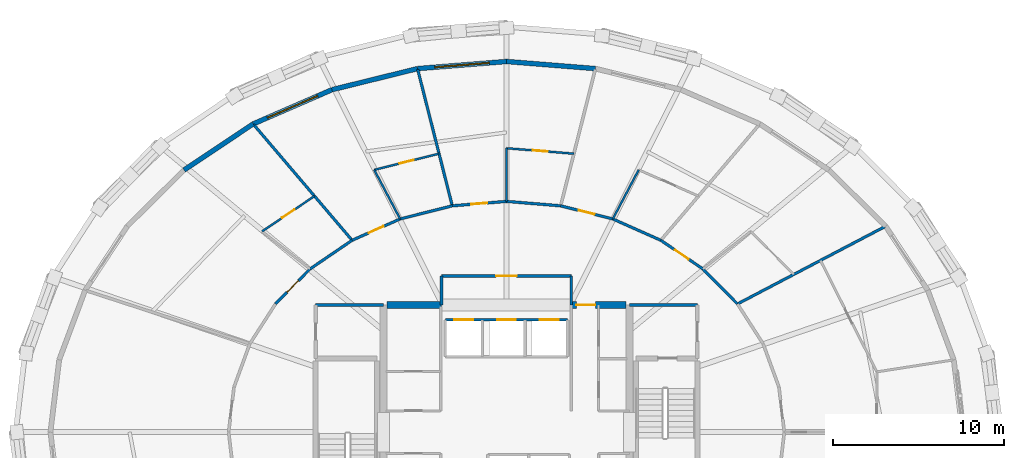
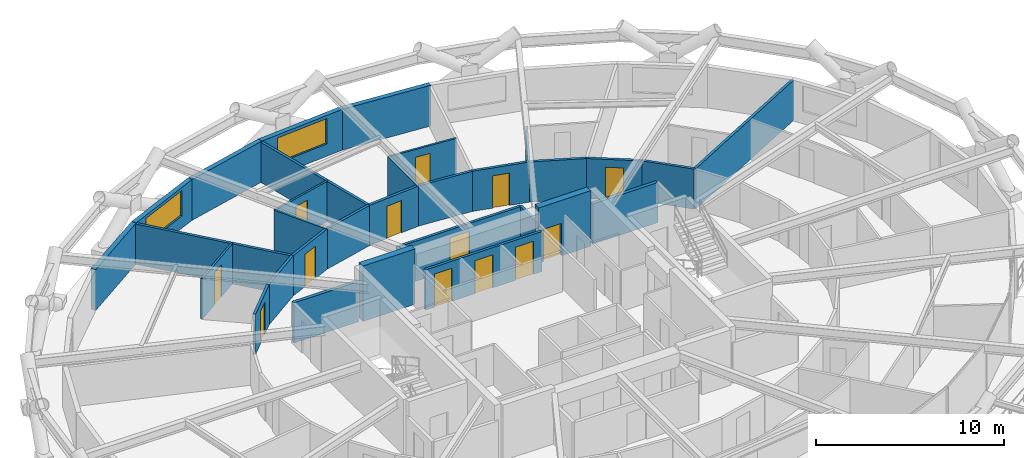
# One storey, part 18 of 21: 32 walls, 13 doors, 2 windows, 15 openings.
"""IFC4 building model written with IfcOpenShell, lengths in metres."""

from ifc_helpers import new_model, si_unit, direction, frame, frame_2d, origin, place, context, subcontext, project, spatial, rectangle, extrude, material, layer, layer_set, type_object, element, fill, save


model = new_model("IFC4")

# Units and contexts
model_context = context("Model", 3, precision=1e-05, world=origin(), true_north=direction((0.0, 1.0)))
body_context = subcontext(model_context, "Body", "Model", "MODEL_VIEW")
ifc_project = project(units=[si_unit("LENGTHUNIT", "METRE"), si_unit("AREAUNIT", "SQUARE_METRE"), si_unit("VOLUMEUNIT", "CUBIC_METRE"), si_unit("PLANEANGLEUNIT", "RADIAN"), si_unit("MASSUNIT", "GRAM", prefix="KILO")], contexts=[model_context])

# Site, building, storey
site_placement = place(None, origin())
site = spatial("IfcSite", under=ifc_project, at=site_placement, CompositionType="ELEMENT")
building_placement = place(site_placement, origin())
building = spatial("IfcBuilding", under=site, at=building_placement, Name="Veldorina Hangang Commons", CompositionType="ELEMENT")
storey_placement = place(building_placement, frame((0.0, 0.0, 59.199951171875)))
storey = spatial("IfcBuildingStorey", under=building, at=storey_placement, Name="L14", CompositionType="ELEMENT", Elevation=59.199951171875)

# Wall
ifc_material_1 = material(Name="Concrete C70/85", Category="concrete")
ifc_layer_1 = layer(ifc_material_1, 0.39990234375)
ifc_layer_set_1 = layer_set([ifc_layer_1], Name="Concrete C70/85")
wall_type_1 = type_object("IfcWallType", Name="CW-RC400-C70", PredefinedType="SHEAR", material=ifc_layer_set_1)
wall_1_placement = place(storey_placement, frame((25.0, 31.449951171875, 0.0), z_axis=(0.0, 0.0, 1.0), x_axis=(1.0, 0.0, 0.0)))
element("IfcWall", 1, at=wall_1_placement, inside=storey, type_object=wall_type_1, Name="L14 north-west core shear wall", PredefinedType="SHEAR", context=body_context, shape_type="SweptSolid", body=[
    extrude(rectangle(XDim=3.199951171875, YDim=0.39990234375, at=frame_2d((1.60009765625, 0.0))), origin(), (0.0, 0.0, 1.0), 3.60009765625),
])

# Wall, opening, door
wall_2_placement = place(storey_placement, frame((35.800048828125, 31.449951171875, 0.0), z_axis=(0.0, 0.0, 1.0), x_axis=(1.0, 0.0, 0.0)))
wall_2 = element("IfcWall", 2, at=wall_2_placement, inside=storey, type_object=wall_type_1, Name="L14 north-east core shear wall", PredefinedType="SHEAR", context=body_context, shape_type="SweptSolid", body=[
    extrude(rectangle(XDim=3.199951171875, YDim=0.39990234375, at=frame_2d((1.60009765625, 0.0))), origin(), (0.0, 0.0, 1.0), 3.60009765625),
])
opening_1_placement = place(wall_2_placement, frame((0.300048828125, 0.0, 0.0)))
opening_1 = element("IfcOpeningElement", 3, at=opening_1_placement, cuts=wall_2, Name="Opening D-08", PredefinedType="OPENING", context=body_context, shape_type="SweptSolid", body=[
    extrude(rectangle(XDim=1.10009765625, YDim=2.10009765625, at=frame_2d((0.550048828125, 1.050048828125))), frame((0.0, 0.2099609375, 0.0), z_axis=(0.0, -1.0, 0.0), x_axis=(1.0, 0.0, 0.0)), (0.0, 0.0, 1.0), 0.419921875),
])
ifc_material_2 = material(Name="Steel Fire-Rated Smoke Seal", Category="steel")
door_type_1 = type_object("IfcDoorType", Name="DR-FIRE-1100", OperationType="SINGLE_SWING_RIGHT", PredefinedType="DOOR", material=ifc_material_2)
door_1_placement = place(opening_1_placement, origin())
door_1 = element("IfcDoor", 4, at=door_1_placement, inside=storey, type_object=door_type_1, Name="L14 central lift lobby north corridor door", OperationType="SINGLE_SWING_LEFT", OverallHeight=2.10009765625, OverallWidth=1.10009765625, PredefinedType="DOOR", context=body_context, shape_type="SweptSolid", body=[
    extrude(rectangle(XDim=1.10009765625, YDim=2.10009765625, at=frame_2d((0.550048828125, 1.050048828125))), frame((0.0, 0.02490234375, 0.0), z_axis=(0.0, -1.0, 0.0), x_axis=(1.0, 0.0, 0.0)), (0.0, 0.0, 1.0), 0.050048828125),
])
fill(opening_1, door_1)

# Wall
ifc_material_3 = material(Name="Stone Roman Travertine", Category="masonry")
ifc_layer_2 = layer(ifc_material_3, 0.280029296875)
ifc_layer_set_2 = layer_set([ifc_layer_2], Name="Stone Roman Travertine")
wall_type_2 = type_object("IfcWallType", Name="EW-TRAV-280", PredefinedType="STANDARD", material=ifc_layer_set_2)
wall_3_placement = place(storey_placement, frame((37.21142578125, 45.29541015625, 0.0), z_axis=(0.0, 0.0, 1.0), x_axis=(-0.996810376731, 0.079806471181, 0.0)))
element("IfcWall", 5, at=wall_3_placement, inside=storey, type_object=wall_type_2, Name="L14 travertine facade wall 07", PredefinedType="STANDARD", context=body_context, shape_type="SweptSolid", body=[
    extrude(rectangle(XDim=5.22802734375, YDim=0.280029296875, at=frame_2d((2.614013671875, 0.0))), origin(), (0.0, 0.0, 1.0), 2.650146484375),
])

# Wall, opening, window
wall_4_placement = place(storey_placement, frame((32.0, 45.712646484375, 0.0), z_axis=(0.0, 0.0, 1.0), x_axis=(-0.996810376731, -0.079806471181, 0.0)))
wall_4 = element("IfcWall", 6, at=wall_4_placement, inside=storey, type_object=wall_type_2, Name="L14 travertine facade wall 08", PredefinedType="STANDARD", context=body_context, shape_type="SweptSolid", body=[
    extrude(rectangle(XDim=5.22802734375, YDim=0.280029296875, at=frame_2d((2.614013671875, 0.0))), origin(), (0.0, 0.0, 1.0), 2.650146484375),
])
opening_2_placement = place(wall_4_placement, frame((1.013916015625, 0.0, 0.800048828125)))
opening_2 = element("IfcOpeningElement", 7, at=opening_2_placement, cuts=wall_4, Name="Opening W-01", PredefinedType="OPENING", context=body_context, shape_type="SweptSolid", body=[
    extrude(rectangle(XDim=3.199951171875, YDim=1.64990234375, at=frame_2d((1.60009765625, 0.824951171875))), frame((0.0, 0.14990234375, 0.0), z_axis=(0.0, -1.0, 0.0), x_axis=(1.0, 0.0, 0.0)), (0.0, 0.0, 1.0), 0.300048828125),
])
ifc_material_4 = material(Name="Glass Low-E Triple IGU", Category="glass")
window_type = type_object("IfcWindowType", Name="WIN-TWR-3200", PartitioningType="SINGLE_PANEL", PredefinedType="WINDOW", material=ifc_material_4)
window_1_placement = place(opening_2_placement, origin())
window_1 = element("IfcWindow", 8, at=window_1_placement, inside=storey, type_object=window_type, Name="L14 facade window 08", OverallHeight=1.64990234375, OverallWidth=3.199951171875, PartitioningType="SINGLE_PANEL", PredefinedType="WINDOW", context=body_context, shape_type="SweptSolid", body=[
    extrude(rectangle(XDim=3.199951171875, YDim=1.64990234375, at=frame_2d((1.60009765625, 0.824951171875))), frame((0.0, 0.030029296875, 0.0), z_axis=(0.0, -1.0, 0.0), x_axis=(1.0, 0.0, 0.0)), (0.0, 0.0, 1.0), 0.06005859375),
])
fill(opening_2, window_1)

# Wall
wall_5_placement = place(storey_placement, frame((26.78857421875, 45.29541015625, 0.0), z_axis=(0.0, 0.0, 1.0), x_axis=(-0.970919369657, -0.239406720089, 0.0)))
element("IfcWall", 9, at=wall_5_placement, inside=storey, type_object=wall_type_2, Name="L14 travertine facade wall 09", PredefinedType="STANDARD", context=body_context, shape_type="SweptSolid", body=[
    extrude(rectangle(XDim=5.1611328125, YDim=0.280029296875, at=frame_2d((2.58056640625, 0.0))), origin(), (0.0, 0.0, 1.0), 2.650146484375),
])

# Wall, opening, window
wall_6_placement = place(storey_placement, frame((21.777587890625, 44.059814453125, 0.0), z_axis=(0.0, 0.0, 1.0), x_axis=(-0.917190263452, -0.398449520804, 0.0)))
wall_6 = element("IfcWall", 10, at=wall_6_placement, inside=storey, type_object=wall_type_2, Name="L14 travertine facade wall 10", PredefinedType="STANDARD", context=body_context, shape_type="SweptSolid", body=[
    extrude(rectangle(XDim=5.035400390625, YDim=0.280029296875, at=frame_2d((2.517578125, 0.0))), origin(), (0.0, 0.0, 1.0), 2.650146484375),
])
opening_3_placement = place(wall_6_placement, frame((0.917724609375, 0.0, 0.800048828125)))
opening_3 = element("IfcOpeningElement", 11, at=opening_3_placement, cuts=wall_6, Name="Opening W-01", PredefinedType="OPENING", context=body_context, shape_type="SweptSolid", body=[
    extrude(rectangle(XDim=3.199951171875, YDim=1.64990234375, at=frame_2d((1.60009765625, 0.824951171875))), frame((0.0, 0.14990234375, 0.0), z_axis=(0.0, -1.0, 0.0), x_axis=(1.0, 0.0, 0.0)), (0.0, 0.0, 1.0), 0.300048828125),
])
window_2_placement = place(opening_3_placement, origin())
window_2 = element("IfcWindow", 12, at=window_2_placement, inside=storey, type_object=window_type, Name="L14 facade window 10", OverallHeight=1.64990234375, OverallWidth=3.199951171875, PartitioningType="SINGLE_PANEL", PredefinedType="WINDOW", context=body_context, shape_type="SweptSolid", body=[
    extrude(rectangle(XDim=3.199951171875, YDim=1.64990234375, at=frame_2d((1.60009765625, 0.824951171875))), frame((0.0, 0.030029296875, 0.0), z_axis=(0.0, -1.0, 0.0), x_axis=(1.0, 0.0, 0.0)), (0.0, 0.0, 1.0), 0.06005859375),
])
fill(opening_3, window_2)

# Wall
wall_7_placement = place(storey_placement, frame((17.1591796875, 42.053466796875, 0.0), z_axis=(0.0, 0.0, 1.0), x_axis=(-0.83189587854, -0.5549317501, 0.0)))
element("IfcWall", 13, at=wall_7_placement, inside=storey, type_object=wall_type_2, Name="L14 travertine facade wall 11", PredefinedType="STANDARD", context=body_context, shape_type="SweptSolid", body=[
    extrude(rectangle(XDim=4.86572265625, YDim=0.280029296875, at=frame_2d((2.432861328125, 0.0))), origin(), (0.0, 0.0, 1.0), 2.650146484375),
])

# Wall, openings, doors
ifc_material_5 = material(Name="Gypsum Fire-Rated Twin Stud Wall", Category="gypsum")
ifc_layer_3 = layer(ifc_material_5, 0.159912109375)
ifc_layer_set_3 = layer_set([ifc_layer_3], Name="Gypsum Fire-Rated Twin Stud Wall")
wall_type_3 = type_object("IfcWallType", Name="WL-FIRE-160", PredefinedType="SOLIDWALL", material=ifc_layer_set_3)
wall_8_placement = place(storey_placement, frame((28.419921875, 30.580078125, 0.0), z_axis=(0.0, 0.0, 1.0), x_axis=(1.0, 0.0, 0.0)))
wall_8 = element("IfcWall", 14, at=wall_8_placement, inside=storey, type_object=wall_type_3, Name="L14 Low-bank front shaft wall 015", PredefinedType="SOLIDWALL", context=body_context, shape_type="SweptSolid", body=[
    extrude(rectangle(XDim=7.16015625, YDim=0.159912109375, at=frame_2d((3.580078125, 0.0))), origin(), (0.0, 0.0, 1.0), 2.610107421875),
])
opening_4_placement = place(wall_8_placement, frame((0.530029296875, 0.0, 0.0)))
opening_4 = element("IfcOpeningElement", 15, at=opening_4_placement, cuts=wall_8, Name="Opening LD-01", PredefinedType="OPENING", context=body_context, shape_type="SweptSolid", body=[
    extrude(rectangle(XDim=1.10009765625, YDim=2.14990234375, at=frame_2d((0.550048828125, 1.074951171875))), frame((0.0, 0.08984375, 0.0), z_axis=(0.0, -1.0, 0.0), x_axis=(1.0, 0.0, 0.0)), (0.0, 0.0, 1.0), 0.179931640625),
])
opening_5_placement = place(wall_8_placement, frame((3.030029296875, 0.0, 0.0)))
opening_5 = element("IfcOpeningElement", 16, at=opening_5_placement, cuts=wall_8, Name="Opening LD-01", PredefinedType="OPENING", context=body_context, shape_type="SweptSolid", body=[
    extrude(rectangle(XDim=1.10009765625, YDim=2.14990234375, at=frame_2d((0.550048828125, 1.074951171875))), frame((0.0, 0.08984375, 0.0), z_axis=(0.0, -1.0, 0.0), x_axis=(1.0, 0.0, 0.0)), (0.0, 0.0, 1.0), 0.179931640625),
])
opening_6_placement = place(wall_8_placement, frame((5.530029296875, 0.0, 0.0)))
opening_6 = element("IfcOpeningElement", 17, at=opening_6_placement, cuts=wall_8, Name="Opening LD-01", PredefinedType="OPENING", context=body_context, shape_type="SweptSolid", body=[
    extrude(rectangle(XDim=1.10009765625, YDim=2.14990234375, at=frame_2d((0.550048828125, 1.074951171875))), frame((0.0, 0.08984375, 0.0), z_axis=(0.0, -1.0, 0.0), x_axis=(1.0, 0.0, 0.0)), (0.0, 0.0, 1.0), 0.179931640625),
])
ifc_material_6 = material(Name="Stainless Steel Brushed Lift Door", Category="steel")
door_type_2 = type_object("IfcDoorType", Name="DR-LIFT-1100", OperationType="SLIDING_TO_LEFT", PredefinedType="DOOR", material=ifc_material_6)
door_2_placement = place(opening_4_placement, origin())
door_2 = element("IfcDoor", 18, at=door_2_placement, inside=storey, type_object=door_type_2, Name="L14 Lift PL-L1 landing door 006", OperationType="SLIDING_TO_LEFT", OverallHeight=2.14990234375, OverallWidth=1.10009765625, PredefinedType="DOOR", context=body_context, shape_type="SweptSolid", body=[
    extrude(rectangle(XDim=1.10009765625, YDim=2.14990234375, at=frame_2d((0.550048828125, 1.074951171875))), frame((0.0, 0.02490234375, 0.0), z_axis=(0.0, -1.0, 0.0), x_axis=(1.0, 0.0, 0.0)), (0.0, 0.0, 1.0), 0.050048828125),
])
fill(opening_4, door_2)
door_3_placement = place(opening_5_placement, origin())
door_3 = element("IfcDoor", 19, at=door_3_placement, inside=storey, type_object=door_type_2, Name="L14 Lift PL-L2 landing door 007", OperationType="SLIDING_TO_LEFT", OverallHeight=2.14990234375, OverallWidth=1.10009765625, PredefinedType="DOOR", context=body_context, shape_type="SweptSolid", body=[
    extrude(rectangle(XDim=1.10009765625, YDim=2.14990234375, at=frame_2d((0.550048828125, 1.074951171875))), frame((0.0, 0.02490234375, 0.0), z_axis=(0.0, -1.0, 0.0), x_axis=(1.0, 0.0, 0.0)), (0.0, 0.0, 1.0), 0.050048828125),
])
fill(opening_5, door_3)
door_4_placement = place(opening_6_placement, origin())
door_4 = element("IfcDoor", 20, at=door_4_placement, inside=storey, type_object=door_type_2, Name="L14 Lift PL-L3 landing door 008", OperationType="SLIDING_TO_LEFT", OverallHeight=2.14990234375, OverallWidth=1.10009765625, PredefinedType="DOOR", context=body_context, shape_type="SweptSolid", body=[
    extrude(rectangle(XDim=1.10009765625, YDim=2.14990234375, at=frame_2d((0.550048828125, 1.074951171875))), frame((0.0, 0.02490234375, 0.0), z_axis=(0.0, -1.0, 0.0), x_axis=(1.0, 0.0, 0.0)), (0.0, 0.0, 1.0), 0.050048828125),
])
fill(opening_6, door_4)

# Walls
for number, where, z_axis, x_axis, name in (
    (21, (28.199951171875, 31.449951171875, 0.0), (0.0, 0.0, 1.0), (0.0, 1.0, 0.0), "L14 North lobby west wall 032"),
    (22, (35.800048828125, 31.449951171875, 0.0), (0.0, 0.0, 1.0), (0.0, 1.0, 0.0), "L14 North lobby east wall 033"),
):
    element("IfcWall", number, at=place(storey_placement, frame(where, z_axis=z_axis, x_axis=x_axis)), inside=storey, type_object=wall_type_3, Name=name, PredefinedType="SOLIDWALL", context=body_context, shape_type="SweptSolid", body=[
        extrude(rectangle(XDim=1.699951171875, YDim=0.159912109375, at=frame_2d((0.85009765625, 0.0))), origin(), (0.0, 0.0, 1.0), 2.610107421875),
    ])

# Wall, opening, door
wall_9_placement = place(storey_placement, frame((28.199951171875, 33.14990234375, 0.0), z_axis=(0.0, 0.0, 1.0), x_axis=(1.0, 0.0, 0.0)))
wall_9 = element("IfcWall", 23, at=wall_9_placement, inside=storey, type_object=wall_type_3, Name="L14 North lobby north wall 034", PredefinedType="SOLIDWALL", context=body_context, shape_type="SweptSolid", body=[
    extrude(rectangle(XDim=7.60009765625, YDim=0.159912109375, at=frame_2d((3.800048828125, 0.0))), origin(), (0.0, 0.0, 1.0), 2.610107421875),
])
opening_7_placement = place(wall_9_placement, frame((3.199951171875, 0.0, 0.0)))
opening_7 = element("IfcOpeningElement", 24, at=opening_7_placement, cuts=wall_9, Name="Opening D-09", PredefinedType="OPENING", context=body_context, shape_type="SweptSolid", body=[
    extrude(rectangle(XDim=1.199951171875, YDim=2.10009765625, at=frame_2d((0.60009765625, 1.050048828125))), frame((0.0, 0.08984375, 0.0), z_axis=(0.0, -1.0, 0.0), x_axis=(1.0, 0.0, 0.0)), (0.0, 0.0, 1.0), 0.179931640625),
])
ifc_material_7 = material(Name="Steel Fire-Rated Corridor Door", Category="steel")
door_type_3 = type_object("IfcDoorType", Name="DR-FIRE-1200", OperationType="SINGLE_SWING_LEFT", PredefinedType="DOOR", material=ifc_material_7)
door_5_placement = place(opening_7_placement, origin())
door_5 = element("IfcDoor", 25, at=door_5_placement, inside=storey, type_object=door_type_3, Name="L14 North lift lobby corridor door 012", OperationType="SINGLE_SWING_RIGHT", OverallHeight=2.10009765625, OverallWidth=1.199951171875, PredefinedType="DOOR", context=body_context, shape_type="SweptSolid", body=[
    extrude(rectangle(XDim=1.199951171875, YDim=2.10009765625, at=frame_2d((0.60009765625, 1.050048828125))), frame((0.0, 0.02490234375, 0.0), z_axis=(0.0, -1.0, 0.0), x_axis=(1.0, 0.0, 0.0)), (0.0, 0.0, 1.0), 0.050048828125),
])
fill(opening_7, door_5)

# Wall
wall_10_placement = place(storey_placement, frame((45.53125, 31.51025390625, 0.0), z_axis=(0.0, 0.0, 1.0), x_axis=(-0.702811997, 0.711375636969, 0.0)))
element("IfcWall", 26, at=wall_10_placement, inside=storey, type_object=wall_type_3, Name="L14 Corridor outer wall 03 050", PredefinedType="SOLIDWALL", context=body_context, shape_type="SweptSolid", body=[
    extrude(rectangle(XDim=2.87939453125, YDim=0.159912109375, at=frame_2d((1.439697265625, 0.0))), origin(), (0.0, 0.0, 1.0), 2.610107421875),
])

# Wall, opening, door
wall_11_placement = place(storey_placement, frame((43.507568359375, 33.55859375, 0.0), z_axis=(0.0, 0.0, 1.0), x_axis=(-0.826293096206, 0.56324037423, 0.0)))
wall_11 = element("IfcWall", 27, at=wall_11_placement, inside=storey, type_object=wall_type_3, Name="L14 Corridor outer wall 04 051", PredefinedType="SOLIDWALL", context=body_context, shape_type="SweptSolid", body=[
    extrude(rectangle(XDim=2.98486328125, YDim=0.159912109375, at=frame_2d((1.492431640625, 0.0))), origin(), (0.0, 0.0, 1.0), 2.610107421875),
])
opening_8_placement = place(wall_11_placement, frame((1.017333984375, 0.0, 0.0)))
opening_8 = element("IfcOpeningElement", 28, at=opening_8_placement, cuts=wall_11, Name="Opening D-03", PredefinedType="OPENING", context=body_context, shape_type="SweptSolid", body=[
    extrude(rectangle(XDim=0.949951171875, YDim=2.10009765625, at=frame_2d((0.47509765625, 1.050048828125))), frame((0.0, 0.08984375, 0.0), z_axis=(0.0, -1.0, 0.0), x_axis=(1.0, 0.0, 0.0)), (0.0, 0.0, 1.0), 0.179931640625),
])
ifc_material_8 = material(Name="Timber Fire-Rated Entrance Core", Category="wood")
door_type_4 = type_object("IfcDoorType", Name="DR-UNIT-950", OperationType="SINGLE_SWING_RIGHT", PredefinedType="DOOR", material=ifc_material_8)
door_6_placement = place(opening_8_placement, origin())
door_6 = element("IfcDoor", 29, at=door_6_placement, inside=storey, type_object=door_type_4, Name="L14 Studio 4 entrance door 032", OperationType="SINGLE_SWING_RIGHT", OverallHeight=2.10009765625, OverallWidth=0.949951171875, PredefinedType="DOOR", context=body_context, shape_type="SweptSolid", body=[
    extrude(rectangle(XDim=0.949951171875, YDim=2.10009765625, at=frame_2d((0.47509765625, 1.050048828125))), frame((0.0, 0.02490234375, 0.0), z_axis=(0.0, -1.0, 0.0), x_axis=(1.0, 0.0, 0.0)), (0.0, 0.0, 1.0), 0.050048828125),
])
fill(opening_8, door_6)

# Wall
wall_12_placement = place(storey_placement, frame((41.041259765625, 35.23974609375, 0.0), z_axis=(0.0, 0.0, 1.0), x_axis=(-0.913952123493, 0.405822024984, 0.0)))
element("IfcWall", 30, at=wall_12_placement, inside=storey, type_object=wall_type_3, Name="L14 Corridor outer wall 05 052", PredefinedType="SOLIDWALL", context=body_context, shape_type="SweptSolid", body=[
    extrude(rectangle(XDim=3.078369140625, YDim=0.159912109375, at=frame_2d((1.5390625, 0.0))), origin(), (0.0, 0.0, 1.0), 2.610107421875),
])

# Wall, opening, door
wall_13_placement = place(storey_placement, frame((38.227783203125, 36.489013671875, 0.0), z_axis=(0.0, 0.0, 1.0), x_axis=(-0.969689238064, 0.244341526521, 0.0)))
wall_13 = element("IfcWall", 31, at=wall_13_placement, inside=storey, type_object=wall_type_3, Name="L14 Corridor outer wall 06 053", PredefinedType="SOLIDWALL", context=body_context, shape_type="SweptSolid", body=[
    extrude(rectangle(XDim=3.1484375, YDim=0.159912109375, at=frame_2d((1.57421875, 0.0))), origin(), (0.0, 0.0, 1.0), 2.610107421875),
])
opening_9_placement = place(wall_13_placement, frame((1.09912109375, 0.0, 0.0)))
opening_9 = element("IfcOpeningElement", 32, at=opening_9_placement, cuts=wall_13, Name="Opening D-03", PredefinedType="OPENING", context=body_context, shape_type="SweptSolid", body=[
    extrude(rectangle(XDim=0.949951171875, YDim=2.10009765625, at=frame_2d((0.47509765625, 1.050048828125))), frame((0.0, 0.08984375, 0.0), z_axis=(0.0, -1.0, 0.0), x_axis=(1.0, 0.0, 0.0)), (0.0, 0.0, 1.0), 0.179931640625),
])
door_7_placement = place(opening_9_placement, origin())
door_7 = element("IfcDoor", 33, at=door_7_placement, inside=storey, type_object=door_type_4, Name="L14 Studio 5 entrance door 034", OperationType="SINGLE_SWING_RIGHT", OverallHeight=2.10009765625, OverallWidth=0.949951171875, PredefinedType="DOOR", context=body_context, shape_type="SweptSolid", body=[
    extrude(rectangle(XDim=0.949951171875, YDim=2.10009765625, at=frame_2d((0.47509765625, 1.050048828125))), frame((0.0, 0.02490234375, 0.0), z_axis=(0.0, -1.0, 0.0), x_axis=(1.0, 0.0, 0.0)), (0.0, 0.0, 1.0), 0.050048828125),
])
fill(opening_9, door_7)

# Wall
wall_14_placement = place(storey_placement, frame((35.1748046875, 37.25830078125, 0.0), z_axis=(0.0, 0.0, 1.0), x_axis=(-0.996669377538, 0.081548463373, 0.0)))
element("IfcWall", 34, at=wall_14_placement, inside=storey, type_object=wall_type_3, Name="L14 Corridor outer wall 07 054", PredefinedType="SOLIDWALL", context=body_context, shape_type="SweptSolid", body=[
    extrude(rectangle(XDim=3.185302734375, YDim=0.159912109375, at=frame_2d((1.5927734375, 0.0))), origin(), (0.0, 0.0, 1.0), 2.610107421875),
])

# Wall, opening, door
wall_15_placement = place(storey_placement, frame((32.0, 37.51806640625, 0.0), z_axis=(0.0, 0.0, 1.0), x_axis=(-0.996669377538, -0.081548463373, 0.0)))
wall_15 = element("IfcWall", 35, at=wall_15_placement, inside=storey, type_object=wall_type_3, Name="L14 Corridor outer wall 08 055", PredefinedType="SOLIDWALL", context=body_context, shape_type="SweptSolid", body=[
    extrude(rectangle(XDim=3.185302734375, YDim=0.159912109375, at=frame_2d((1.5927734375, 0.0))), origin(), (0.0, 0.0, 1.0), 2.610107421875),
])
opening_10_placement = place(wall_15_placement, frame((1.117919921875, 0.0, 0.0)))
opening_10 = element("IfcOpeningElement", 36, at=opening_10_placement, cuts=wall_15, Name="Opening D-03", PredefinedType="OPENING", context=body_context, shape_type="SweptSolid", body=[
    extrude(rectangle(XDim=0.949951171875, YDim=2.10009765625, at=frame_2d((0.47509765625, 1.050048828125))), frame((0.0, 0.08984375, 0.0), z_axis=(0.0, -1.0, 0.0), x_axis=(1.0, 0.0, 0.0)), (0.0, 0.0, 1.0), 0.179931640625),
])
door_8_placement = place(opening_10_placement, origin())
door_8 = element("IfcDoor", 37, at=door_8_placement, inside=storey, type_object=door_type_4, Name="L14 Studio 6 entrance door 036", OperationType="SINGLE_SWING_RIGHT", OverallHeight=2.10009765625, OverallWidth=0.949951171875, PredefinedType="DOOR", context=body_context, shape_type="SweptSolid", body=[
    extrude(rectangle(XDim=0.949951171875, YDim=2.10009765625, at=frame_2d((0.47509765625, 1.050048828125))), frame((0.0, 0.02490234375, 0.0), z_axis=(0.0, -1.0, 0.0), x_axis=(1.0, 0.0, 0.0)), (0.0, 0.0, 1.0), 0.050048828125),
])
fill(opening_10, door_8)

# Wall
wall_16_placement = place(storey_placement, frame((28.8251953125, 37.25830078125, 0.0), z_axis=(0.0, 0.0, 1.0), x_axis=(-0.969689238064, -0.244341526521, 0.0)))
element("IfcWall", 38, at=wall_16_placement, inside=storey, type_object=wall_type_3, Name="L14 Corridor outer wall 09 056", PredefinedType="SOLIDWALL", context=body_context, shape_type="SweptSolid", body=[
    extrude(rectangle(XDim=3.1484375, YDim=0.159912109375, at=frame_2d((1.57421875, 0.0))), origin(), (0.0, 0.0, 1.0), 2.610107421875),
])

# Wall, opening, door
wall_17_placement = place(storey_placement, frame((25.772216796875, 36.489013671875, 0.0), z_axis=(0.0, 0.0, 1.0), x_axis=(-0.913952123493, -0.405822024984, 0.0)))
wall_17 = element("IfcWall", 39, at=wall_17_placement, inside=storey, type_object=wall_type_3, Name="L14 Corridor outer wall 10 057", PredefinedType="SOLIDWALL", context=body_context, shape_type="SweptSolid", body=[
    extrude(rectangle(XDim=3.078369140625, YDim=0.159912109375, at=frame_2d((1.5390625, 0.0))), origin(), (0.0, 0.0, 1.0), 2.610107421875),
])
opening_11_placement = place(wall_17_placement, frame((1.064208984375, 0.0, 0.0)))
opening_11 = element("IfcOpeningElement", 40, at=opening_11_placement, cuts=wall_17, Name="Opening D-03", PredefinedType="OPENING", context=body_context, shape_type="SweptSolid", body=[
    extrude(rectangle(XDim=0.949951171875, YDim=2.10009765625, at=frame_2d((0.47509765625, 1.050048828125))), frame((0.0, 0.08984375, 0.0), z_axis=(0.0, -1.0, 0.0), x_axis=(1.0, 0.0, 0.0)), (0.0, 0.0, 1.0), 0.179931640625),
])
door_9_placement = place(opening_11_placement, origin())
door_9 = element("IfcDoor", 41, at=door_9_placement, inside=storey, type_object=door_type_4, Name="L14 Studio 7 entrance door 038", OperationType="SINGLE_SWING_RIGHT", OverallHeight=2.10009765625, OverallWidth=0.949951171875, PredefinedType="DOOR", context=body_context, shape_type="SweptSolid", body=[
    extrude(rectangle(XDim=0.949951171875, YDim=2.10009765625, at=frame_2d((0.47509765625, 1.050048828125))), frame((0.0, 0.02490234375, 0.0), z_axis=(0.0, -1.0, 0.0), x_axis=(1.0, 0.0, 0.0)), (0.0, 0.0, 1.0), 0.050048828125),
])
fill(opening_11, door_9)

# Wall
wall_18_placement = place(storey_placement, frame((22.958740234375, 35.23974609375, 0.0), z_axis=(0.0, 0.0, 1.0), x_axis=(-0.826293096206, -0.56324037423, 0.0)))
element("IfcWall", 42, at=wall_18_placement, inside=storey, type_object=wall_type_3, Name="L14 Corridor outer wall 11 058", PredefinedType="SOLIDWALL", context=body_context, shape_type="SweptSolid", body=[
    extrude(rectangle(XDim=2.98486328125, YDim=0.159912109375, at=frame_2d((1.492431640625, 0.0))), origin(), (0.0, 0.0, 1.0), 2.610107421875),
])

# Wall, opening, door
wall_19_placement = place(storey_placement, frame((20.492431640625, 33.55859375, 0.0), z_axis=(0.0, 0.0, 1.0), x_axis=(-0.702811997, -0.711375636969, 0.0)))
wall_19 = element("IfcWall", 43, at=wall_19_placement, inside=storey, type_object=wall_type_3, Name="L14 Corridor outer wall 12 059", PredefinedType="SOLIDWALL", context=body_context, shape_type="SweptSolid", body=[
    extrude(rectangle(XDim=2.87939453125, YDim=0.159912109375, at=frame_2d((1.439697265625, 0.0))), origin(), (0.0, 0.0, 1.0), 2.610107421875),
])
opening_12_placement = place(wall_19_placement, frame((0.96484375, 0.0, 0.0)))
opening_12 = element("IfcOpeningElement", 44, at=opening_12_placement, cuts=wall_19, Name="Opening D-03", PredefinedType="OPENING", context=body_context, shape_type="SweptSolid", body=[
    extrude(rectangle(XDim=0.949951171875, YDim=2.10009765625, at=frame_2d((0.47509765625, 1.050048828125))), frame((0.0, 0.08984375, 0.0), z_axis=(0.0, -1.0, 0.0), x_axis=(1.0, 0.0, 0.0)), (0.0, 0.0, 1.0), 0.179931640625),
])
door_10_placement = place(opening_12_placement, origin())
door_10 = element("IfcDoor", 45, at=door_10_placement, inside=storey, type_object=door_type_4, Name="L14 Studio 8 entrance door 040", OperationType="SINGLE_SWING_RIGHT", OverallHeight=2.10009765625, OverallWidth=0.949951171875, PredefinedType="DOOR", context=body_context, shape_type="SweptSolid", body=[
    extrude(rectangle(XDim=0.949951171875, YDim=2.10009765625, at=frame_2d((0.47509765625, 1.050048828125))), frame((0.0, 0.02490234375, 0.0), z_axis=(0.0, -1.0, 0.0), x_axis=(1.0, 0.0, 0.0)), (0.0, 0.0, 1.0), 0.050048828125),
])
fill(opening_12, door_10)

# Walls
wall_20_placement = place(storey_placement, frame((45.53125, 31.51025390625, 0.0), z_axis=(0.0, 0.0, 1.0), x_axis=(0.885565291544, 0.464514923778, 0.0)))
element("IfcWall", 46, at=wall_20_placement, inside=storey, type_object=wall_type_3, Name="L14 Unit party wall 03 096", PredefinedType="SOLIDWALL", context=body_context, shape_type="SweptSolid", body=[
    extrude(rectangle(XDim=9.751220703125, YDim=0.159912109375, at=frame_2d((4.87548828125, 0.0))), origin(), (0.0, 0.0, 1.0), 2.610107421875),
])
wall_21_placement = place(storey_placement, frame((28.8251953125, 37.25830078125, 0.0), z_axis=(0.0, 0.0, 1.0), x_axis=(-0.24564316936, 0.969360321731, 0.0)))
element("IfcWall", 47, at=wall_21_placement, inside=storey, type_object=wall_type_3, Name="L14 Unit party wall 09 105", PredefinedType="SOLIDWALL", context=body_context, shape_type="SweptSolid", body=[
    extrude(rectangle(XDim=8.2412109375, YDim=0.159912109375, at=frame_2d((4.12060546875, 0.0))), origin(), (0.0, 0.0, 1.0), 2.610107421875),
])
wall_22_placement = place(storey_placement, frame((22.958740234375, 35.23974609375, 0.0), z_axis=(0.0, 0.0, 1.0), x_axis=(-0.648157225864, 0.761506540064, 0.0)))
element("IfcWall", 48, at=wall_22_placement, inside=storey, type_object=wall_type_3, Name="L14 Unit party wall 11 108", PredefinedType="SOLIDWALL", context=body_context, shape_type="SweptSolid", body=[
    extrude(rectangle(XDim=8.897705078125, YDim=0.159912109375, at=frame_2d((4.44873046875, 0.0))), origin(), (0.0, 0.0, 1.0), 2.610107421875),
])
ifc_material_9 = material(Name="Concrete Blockwork Fire Wall C30/37", Category="masonry")
ifc_layer_4 = layer(ifc_material_9, 0.199951171875)
ifc_layer_set_4 = layer_set([ifc_layer_4], Name="Concrete Blockwork Fire Wall C30/37")
wall_type_4 = type_object("IfcWallType", Name="WL-FIRE-200", PredefinedType="SOLIDWALL", material=ifc_layer_set_4)
for number, where, z_axis, x_axis, name in (
    (49, (39.199951171875, 31.449951171875, 0.0), (0.0, 0.0, 1.0), (1.0, 0.0, 0.0), "L14 East vestibule north wall 004"),
    (50, (20.820068359375, 31.449951171875, 0.0), (0.0, 0.0, 1.0), (1.0, 0.0, 0.0), "L14 NW core room north wall 006"),
):
    element("IfcWall", number, at=place(storey_placement, frame(where, z_axis=z_axis, x_axis=x_axis)), inside=storey, type_object=wall_type_4, Name=name, PredefinedType="SOLIDWALL", context=body_context, shape_type="SweptSolid", body=[
        extrude(rectangle(XDim=3.97998046875, YDim=0.199951171875, at=frame_2d((1.989990234375, 0.0))), origin(), (0.0, 0.0, 1.0), 2.610107421875),
    ])
ifc_material_10 = material(Name="Gypsum Acoustic Stud Partition", Category="gypsum")
ifc_layer_5 = layer(ifc_material_10, 0.1201171875)
ifc_layer_set_5 = layer_set([ifc_layer_5], Name="Gypsum Acoustic Stud Partition")
wall_type_5 = type_object("IfcWallType", Name="WL-PART-120", PredefinedType="PARTITIONING", material=ifc_layer_set_5)
wall_23_placement = place(storey_placement, frame((38.227783203125, 36.489013671875, 0.0), z_axis=(0.0, 0.0, 1.0), x_axis=(0.466680348687, 0.884426058045, 0.0)))
element("IfcWall", 51, at=wall_23_placement, inside=storey, type_object=wall_type_5, Name="L14 Studio 5 bath side wall 101", PredefinedType="PARTITIONING", context=body_context, shape_type="SweptSolid", body=[
    extrude(rectangle(XDim=3.2529296875, YDim=0.1201171875, at=frame_2d((1.62646484375, 0.0))), origin(), (0.0, 0.0, 1.0), 2.610107421875),
])

# Wall, opening, door
wall_24_placement = place(storey_placement, frame((35.94873046875, 40.3125, 0.0), z_axis=(0.0, 0.0, 1.0), x_axis=(-0.996740977856, 0.080668600223, 0.0)))
wall_24 = element("IfcWall", 52, at=wall_24_placement, inside=storey, type_object=wall_type_5, Name="L14 Studio 6 bath front wall 103", PredefinedType="PARTITIONING", context=body_context, shape_type="SweptSolid", body=[
    extrude(rectangle(XDim=3.961669921875, YDim=0.1201171875, at=frame_2d((1.98095703125, 0.0))), origin(), (0.0, 0.0, 1.0), 2.610107421875),
])
opening_13_placement = place(wall_24_placement, frame((1.55078125, 0.0, 0.0)))
opening_13 = element("IfcOpeningElement", 53, at=opening_13_placement, cuts=wall_24, Name="Opening D-01", PredefinedType="OPENING", context=body_context, shape_type="SweptSolid", body=[
    extrude(rectangle(XDim=0.860107421875, YDim=2.10009765625, at=frame_2d((0.43017578125, 1.050048828125))), frame((0.0, 0.070068359375, 0.0), z_axis=(0.0, -1.0, 0.0), x_axis=(1.0, 0.0, 0.0)), (0.0, 0.0, 1.0), 0.14013671875),
])
ifc_material_11 = material(Name="Timber Moisture-Resistant Core", Category="wood")
door_type_5 = type_object("IfcDoorType", Name="DR-WET-860", OperationType="SINGLE_SWING_LEFT", PredefinedType="DOOR", material=ifc_material_11)
door_11_placement = place(opening_13_placement, origin())
door_11 = element("IfcDoor", 54, at=door_11_placement, inside=storey, type_object=door_type_5, Name="L14 Studio 6 bathroom door 035", OperationType="SINGLE_SWING_LEFT", OverallHeight=2.10009765625, OverallWidth=0.860107421875, PredefinedType="DOOR", context=body_context, shape_type="SweptSolid", body=[
    extrude(rectangle(XDim=0.860107421875, YDim=2.10009765625, at=frame_2d((0.43017578125, 1.050048828125))), frame((0.0, 0.02490234375, 0.0), z_axis=(0.0, -1.0, 0.0), x_axis=(1.0, 0.0, 0.0)), (0.0, 0.0, 1.0), 0.050048828125),
])
fill(opening_13, door_11)

# Wall
wall_25_placement = place(storey_placement, frame((32.0, 37.51806640625, 0.0), z_axis=(0.0, 0.0, 1.0), x_axis=(0.0, 1.0, 0.0)))
element("IfcWall", 55, at=wall_25_placement, inside=storey, type_object=wall_type_5, Name="L14 Studio 6 bath side wall 104", PredefinedType="PARTITIONING", context=body_context, shape_type="SweptSolid", body=[
    extrude(rectangle(XDim=3.114013671875, YDim=0.1201171875, at=frame_2d((1.55712890625, 0.0))), origin(), (0.0, 0.0, 1.0), 2.610107421875),
])

# Wall, opening, door
wall_26_placement = place(storey_placement, frame((28.05126953125, 40.3125, 0.0), z_axis=(0.0, 0.0, 1.0), x_axis=(-0.970307417723, -0.24187499894, 0.0)))
wall_26 = element("IfcWall", 56, at=wall_26_placement, inside=storey, type_object=wall_type_5, Name="L14 Studio 7 bath front wall 106", PredefinedType="PARTITIONING", context=body_context, shape_type="SweptSolid", body=[
    extrude(rectangle(XDim=3.913330078125, YDim=0.1201171875, at=frame_2d((1.95654296875, 0.0))), origin(), (0.0, 0.0, 1.0), 2.610107421875),
])
opening_14_placement = place(wall_26_placement, frame((1.526611328125, 0.0, 0.0)))
opening_14 = element("IfcOpeningElement", 57, at=opening_14_placement, cuts=wall_26, Name="Opening D-01", PredefinedType="OPENING", context=body_context, shape_type="SweptSolid", body=[
    extrude(rectangle(XDim=0.860107421875, YDim=2.10009765625, at=frame_2d((0.43017578125, 1.050048828125))), frame((0.0, 0.070068359375, 0.0), z_axis=(0.0, -1.0, 0.0), x_axis=(1.0, 0.0, 0.0)), (0.0, 0.0, 1.0), 0.14013671875),
])
door_12_placement = place(opening_14_placement, origin())
door_12 = element("IfcDoor", 58, at=door_12_placement, inside=storey, type_object=door_type_5, Name="L14 Studio 7 bathroom door 037", OperationType="SINGLE_SWING_LEFT", OverallHeight=2.10009765625, OverallWidth=0.860107421875, PredefinedType="DOOR", context=body_context, shape_type="SweptSolid", body=[
    extrude(rectangle(XDim=0.860107421875, YDim=2.10009765625, at=frame_2d((0.43017578125, 1.050048828125))), frame((0.0, 0.02490234375, 0.0), z_axis=(0.0, -1.0, 0.0), x_axis=(1.0, 0.0, 0.0)), (0.0, 0.0, 1.0), 0.050048828125),
])
fill(opening_14, door_12)

# Wall
wall_27_placement = place(storey_placement, frame((25.772216796875, 36.489013671875, 0.0), z_axis=(0.0, 0.0, 1.0), x_axis=(-0.466680348687, 0.884426058045, 0.0)))
element("IfcWall", 59, at=wall_27_placement, inside=storey, type_object=wall_type_5, Name="L14 Studio 7 bath side wall 107", PredefinedType="PARTITIONING", context=body_context, shape_type="SweptSolid", body=[
    extrude(rectangle(XDim=3.2529296875, YDim=0.1201171875, at=frame_2d((1.62646484375, 0.0))), origin(), (0.0, 0.0, 1.0), 2.610107421875),
])

# Wall, opening, door
wall_28_placement = place(storey_placement, frame((20.7548828125, 37.8291015625, 0.0), z_axis=(0.0, 0.0, 1.0), x_axis=(-0.829084222504, -0.559123735854, 0.0)))
wall_28 = element("IfcWall", 60, at=wall_28_placement, inside=storey, type_object=wall_type_5, Name="L14 Studio 8 bath front wall 109", PredefinedType="PARTITIONING", context=body_context, shape_type="SweptSolid", body=[
    extrude(rectangle(XDim=3.69970703125, YDim=0.1201171875, at=frame_2d((1.849853515625, 0.0))), origin(), (0.0, 0.0, 1.0), 2.610107421875),
])
opening_15_placement = place(wall_28_placement, frame((1.419921875, 0.0, 0.0)))
opening_15 = element("IfcOpeningElement", 61, at=opening_15_placement, cuts=wall_28, Name="Opening D-01", PredefinedType="OPENING", context=body_context, shape_type="SweptSolid", body=[
    extrude(rectangle(XDim=0.860107421875, YDim=2.10009765625, at=frame_2d((0.43017578125, 1.050048828125))), frame((0.0, 0.070068359375, 0.0), z_axis=(0.0, -1.0, 0.0), x_axis=(1.0, 0.0, 0.0)), (0.0, 0.0, 1.0), 0.14013671875),
])
door_13_placement = place(opening_15_placement, origin())
door_13 = element("IfcDoor", 62, at=door_13_placement, inside=storey, type_object=door_type_5, Name="L14 Studio 8 bathroom door 039", OperationType="SINGLE_SWING_LEFT", OverallHeight=2.10009765625, OverallWidth=0.860107421875, PredefinedType="DOOR", context=body_context, shape_type="SweptSolid", body=[
    extrude(rectangle(XDim=0.860107421875, YDim=2.10009765625, at=frame_2d((0.43017578125, 1.050048828125))), frame((0.0, 0.02490234375, 0.0), z_axis=(0.0, -1.0, 0.0), x_axis=(1.0, 0.0, 0.0)), (0.0, 0.0, 1.0), 0.050048828125),
])
fill(opening_15, door_13)

save(model, "model.ifc")
